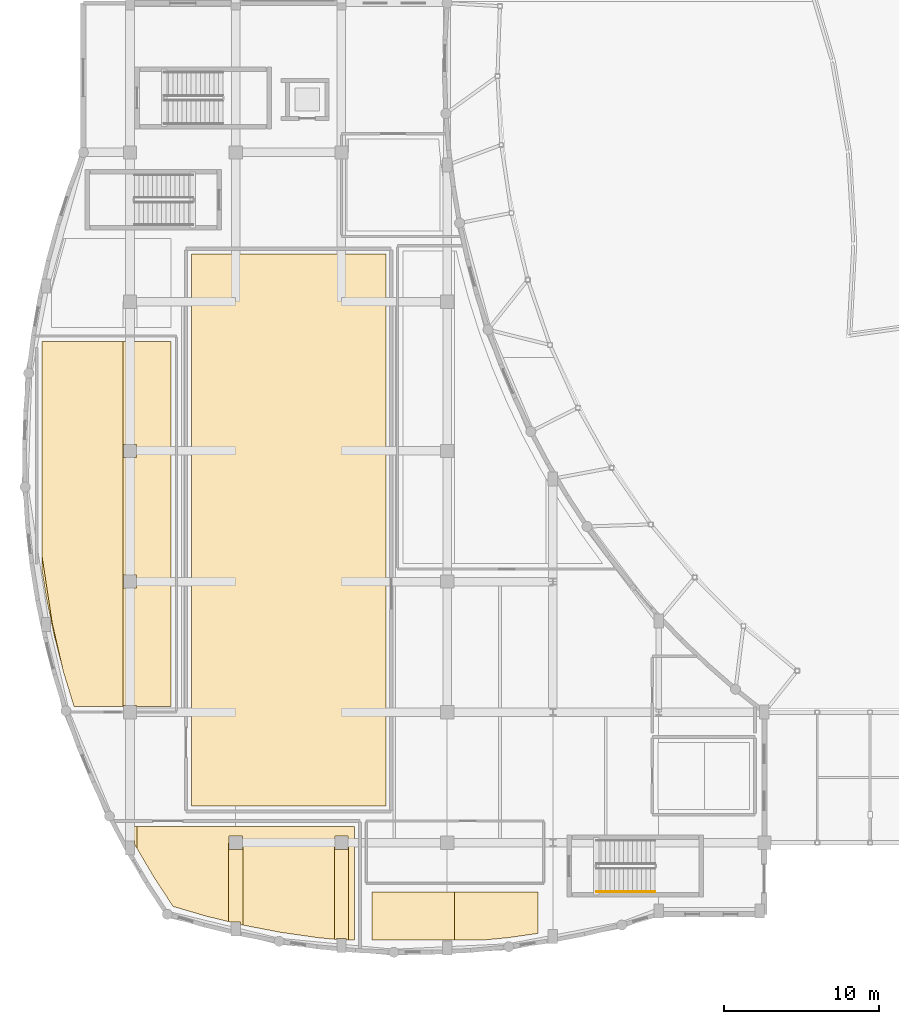
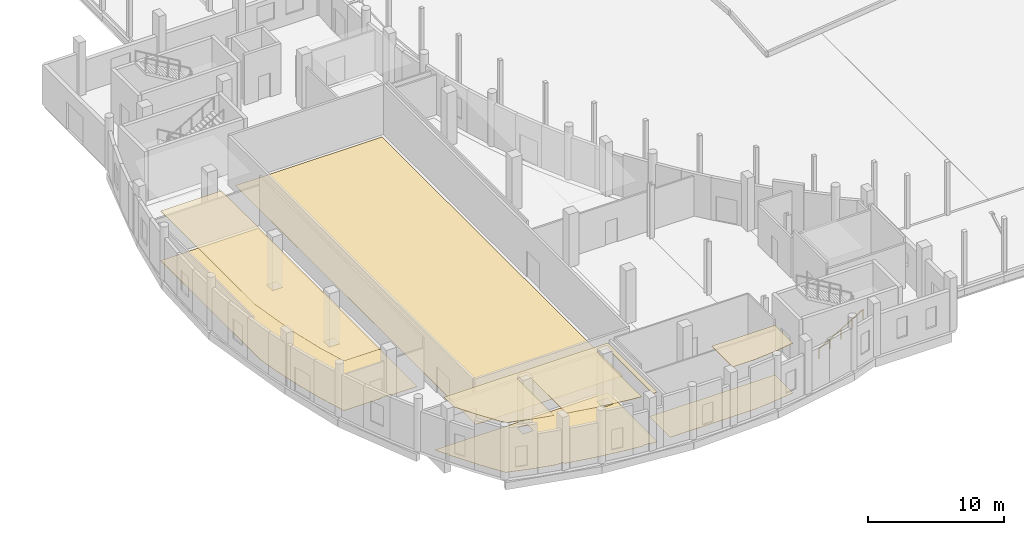
# One storey, part 80 of 97: 7 coverings, 1 railing.
"""IFC4 building model written with IfcOpenShell, lengths in metres."""

from ifc_helpers import new_model, si_unit, direction, frame, origin, origin_2d, place, context, subcontext, project, spatial, polyline, circle, outline, extrude, material, layer, layer_set, type_object, element, save


model = new_model("IFC4")

# Units and contexts
model_context = context("Model", 3, precision=1e-05, world=origin(), true_north=direction((0.0, 1.0)))
body_context = subcontext(model_context, "Body", "Model", "MODEL_VIEW")
ifc_project = project(units=[si_unit("LENGTHUNIT", "METRE"), si_unit("AREAUNIT", "SQUARE_METRE"), si_unit("VOLUMEUNIT", "CUBIC_METRE"), si_unit("PLANEANGLEUNIT", "RADIAN"), si_unit("MASSUNIT", "GRAM", prefix="KILO")], contexts=[model_context])

# Site, building, storey
site_placement = place(None, origin())
site = spatial("IfcSite", under=ifc_project, at=site_placement, CompositionType="ELEMENT")
building_placement = place(site_placement, origin())
building = spatial("IfcBuilding", under=site, at=building_placement, Name="Kisaragi Civic Commons", CompositionType="ELEMENT")
storey_placement = place(building_placement, origin())
storey = spatial("IfcBuildingStorey", under=building, at=storey_placement, Name="L00", CompositionType="ELEMENT", Elevation=0.0)

# Coverings
ifc_material_1 = material(Name="Perforated mineral-fibre & hinoki slat acoustic ceiling")
ifc_layer_1 = layer(ifc_material_1, 0.034912109375, Name="Perforated mineral-fibre & hinoki slat acoustic ceiling")
ifc_layer_set_1 = layer_set([ifc_layer_1], Name="Perforated mineral-fibre & hinoki slat acoustic ceiling")
covering_type_1 = type_object("IfcCoveringType", Name="CLG-01", PredefinedType="CEILING", material=ifc_layer_set_1)
covering_1_placement = place(storey_placement, frame((0.0, 0.0, 4.4599609375)))
element("IfcCovering", 1, at=covering_1_placement, inside=storey, type_object=covering_type_1, Name="Sanctuary acoustic ceiling", PredefinedType="CEILING", context=body_context, shape_type="SweptSolid", body=[
    extrude(outline(polyline([(21.25, 9.449951171875), (7.260009765625, 9.449951171875), (7.260009765625, 8.076171875), (7.228515625, 8.076171875), (8.36083984375, 6.1572265625), (9.574462890625, 4.30517578125), (11.722412109375, 3.67578125), (13.139892578125, 3.332763671875), (13.139892578125, 8.39990234375), (13.169921875, 8.39990234375), (13.169921875, 8.830078125), (14.030029296875, 8.830078125), (14.030029296875, 8.39990234375), (14.06005859375, 8.39990234375), (14.06005859375, 3.110107421875), (14.095458984375, 3.101318359375), (16.492919921875, 2.640380859375), (18.909912109375, 2.293701171875), (19.93994140625, 2.195556640625), (19.93994140625, 8.39990234375), (19.969970703125, 8.39990234375), (19.969970703125, 8.830078125), (20.830078125, 8.830078125), (20.830078125, 8.39990234375), (20.860107421875, 8.39990234375), (20.860107421875, 2.14990234375), (21.25, 2.14990234375), (21.25, 9.449951171875)])), origin(), (0.0, 0.0, 1.0), 0.03515625),
])
ifc_layer_2 = layer(ifc_material_1, 0.02490234375, Name="Perforated mineral-fibre & hinoki slat acoustic ceiling")
ifc_layer_set_2 = layer_set([ifc_layer_2], Name="Perforated mineral-fibre & hinoki slat acoustic ceiling")
covering_type_2 = type_object("IfcCoveringType", Name="CLG-02", PredefinedType="CEILING", material=ifc_layer_set_2)
covering_2_placement = place(storey_placement, frame((0.0, 0.0, 4.469970703125)))
element("IfcCovering", 2, at=covering_2_placement, inside=storey, type_object=covering_type_2, Name="Main Hall Stage and Wing acoustic ceiling", PredefinedType="CEILING", context=body_context, shape_type="SweptSolid", body=[
    extrude(outline(polyline([(6.340087890625, 40.64990234375), (1.14990234375, 40.64990234375), (1.14990234375, 26.795654296875), (1.802978515625, 22.515380859375), (2.494140625, 19.50537109375), (2.524658203125, 19.386474609375), (3.21142578125, 17.14990234375), (6.340087890625, 17.14990234375), (6.340087890625, 25.199951171875), (6.340087890625, 33.60009765625), (6.340087890625, 40.64990234375)])), origin(), (0.0, 0.0, 1.0), 0.025146484375),
])
covering_3_placement = place(storey_placement, frame((0.0, 0.0, 4.469970703125)))
element("IfcCovering", 3, at=covering_3_placement, inside=storey, type_object=covering_type_2, Name="Sanctuary Choir Vestry acoustic ceiling", PredefinedType="CEILING", context=body_context, shape_type="SweptSolid", body=[
    extrude(outline(polyline([(33.050048828125, 2.574951171875), (33.050048828125, 5.25), (27.659912109375, 5.25), (27.659912109375, 2.14990234375), (29.582275390625, 2.14990234375), (31.090087890625, 2.293701171875), (33.050048828125, 2.574951171875)])), origin(), (0.0, 0.0, 1.0), 0.025146484375),
])
ifc_material_2 = material(Name="Honed Mino ceramic tile & resilience acoustic flooring")
ifc_layer_3 = layer(ifc_material_2, 0.01611328125, Name="Honed Mino ceramic tile & resilience acoustic flooring")
ifc_layer_set_3 = layer_set([ifc_layer_3], Name="Honed Mino ceramic tile & resilience acoustic flooring")
covering_type_3 = type_object("IfcCoveringType", Name="FLR-02", PredefinedType="FLOORING", material=ifc_layer_set_3)
covering_4_placement = place(storey_placement, origin())
element("IfcCovering", 4, at=covering_4_placement, inside=storey, type_object=covering_type_3, Name="Main Hall floor finish", PredefinedType="FLOORING", context=body_context, shape_type="SweptSolid", body=[
    extrude(outline(polyline([(23.25, 10.75), (23.25, 46.25), (10.75, 46.25), (10.75, 10.75), (23.25, 10.75)])), origin(), (0.0, 0.0, 1.0), 0.01611328125),
])
covering_5_placement = place(storey_placement, origin())
element("IfcCovering", 5, at=covering_5_placement, inside=storey, type_object=covering_type_3, Name="Main Hall Stage and Wing floor finish", PredefinedType="FLOORING", context=body_context, shape_type="SweptSolid", body=[
    extrude(outline(polyline([(1.14990234375, 40.64990234375), (1.14990234375, 25.89990234375), (1.435302734375, 24.095947265625), (1.683837890625, 22.893310546875), (1.705078125, 22.893310546875), (1.705078125, 22.790771484375), (1.924560546875, 21.728515625), (2.524658203125, 19.386474609375), (3.21142578125, 17.14990234375), (6.3701171875, 17.14990234375), (6.3701171875, 17.22998046875), (7.22998046875, 17.22998046875), (7.22998046875, 17.14990234375), (9.449951171875, 17.14990234375), (9.449951171875, 40.64990234375), (1.14990234375, 40.64990234375)]), holes=[polyline([(7.22998046875, 24.77001953125), (6.3701171875, 24.77001953125), (6.3701171875, 25.6298828125), (7.22998046875, 25.6298828125), (7.22998046875, 24.77001953125)]), polyline([(7.22998046875, 33.169921875), (6.3701171875, 33.169921875), (6.3701171875, 34.030029296875), (7.22998046875, 34.030029296875), (7.22998046875, 33.169921875)])]), origin(), (0.0, 0.0, 1.0), 0.01611328125),
])
covering_6_placement = place(storey_placement, origin())
element("IfcCovering", 6, at=covering_6_placement, inside=storey, type_object=covering_type_3, Name="Sanctuary Choir Vestry floor finish", PredefinedType="FLOORING", context=body_context, shape_type="SweptSolid", body=[
    extrude(outline(polyline([(33.050048828125, 5.25), (22.35009765625, 5.25), (22.35009765625, 2.14990234375), (29.582275390625, 2.14990234375), (31.090087890625, 2.293701171875), (33.050048828125, 2.574951171875), (33.050048828125, 5.25)])), origin(), (0.0, 0.0, 1.0), 0.01611328125),
])
covering_7_placement = place(storey_placement, origin())
element("IfcCovering", 7, at=covering_7_placement, inside=storey, type_object=covering_type_3, Name="Sanctuary floor finish", PredefinedType="FLOORING", context=body_context, shape_type="SweptSolid", body=[
    extrude(outline(polyline([(6.49267578125, 9.449951171875), (6.97802734375, 8.53125), (7.10498046875, 8.53125), (7.10498046875, 8.291015625), (7.132080078125, 8.239501953125), (8.36083984375, 6.1572265625), (9.574462890625, 4.30517578125), (11.722412109375, 3.67578125), (13.294921875, 3.295166015625), (13.294921875, 3.295654296875), (13.905029296875, 3.295654296875), (13.905029296875, 3.1474609375), (14.095458984375, 3.101318359375), (16.492919921875, 2.640380859375), (18.909912109375, 2.293701171875), (20.094970703125, 2.180908203125), (20.094970703125, 2.235107421875), (20.705078125, 2.235107421875), (20.705078125, 2.14990234375), (21.25, 2.14990234375), (21.25, 9.449951171875), (6.49267578125, 9.449951171875)]), holes=[polyline([(20.830078125, 7.969970703125), (19.969970703125, 7.969970703125), (19.969970703125, 8.830078125), (20.830078125, 8.830078125), (20.830078125, 7.969970703125)]), polyline([(14.030029296875, 7.969970703125), (13.169921875, 7.969970703125), (13.169921875, 8.830078125), (14.030029296875, 8.830078125), (14.030029296875, 7.969970703125)])]), origin(), (0.0, 0.0, 1.0), 0.01611328125),
])

# Railing
ifc_material_3 = material(Name="Powder-coated architectural steel and hinoki cap rail", Category="steel")
railing_type = type_object("IfcRailingType", Name="HRL-01", PredefinedType="HANDRAIL", material=ifc_material_3)
railing_placement = place(storey_placement, frame((36.800048828125, 5.25, 0.17138671875)))
element("IfcRailing", 8, at=railing_placement, inside=storey, type_object=railing_type, Name="L00 ST-M2 stair handrail 1", PredefinedType="HANDRAIL", context=body_context, shape_type="SweptSolid", body=[
    extrude(circle(Radius=0.02392578125, at=origin_2d()), frame((0.0, 0.0, 0.8759765625), z_axis=(0.860848830602, 0.0, 0.508860777473), x_axis=(0.0, 1.0, 0.0)), (0.0, 0.0, 1.0), 4.37939453125),
    extrude(circle(Radius=0.02099609375, at=origin_2d()), origin(), (0.0, 0.0, 1.0), 0.851806640625),
    extrude(circle(Radius=0.02099609375, at=origin_2d()), frame((0.9423828125, 0.0, 0.55712890625)), (0.0, 0.0, 1.0), 0.851806640625),
    extrude(circle(Radius=0.02099609375, at=origin_2d()), frame((1.885009765625, 0.0, 1.1142578125)), (0.0, 0.0, 1.0), 0.851806640625),
    extrude(circle(Radius=0.02099609375, at=origin_2d()), frame((2.82763671875, 0.0, 1.67138671875)), (0.0, 0.0, 1.0), 0.851806640625),
    extrude(circle(Radius=0.02099609375, at=origin_2d()), frame((3.77001953125, 0.0, 2.228515625)), (0.0, 0.0, 1.0), 0.851806640625),
])

save(model, "model.ifc")
